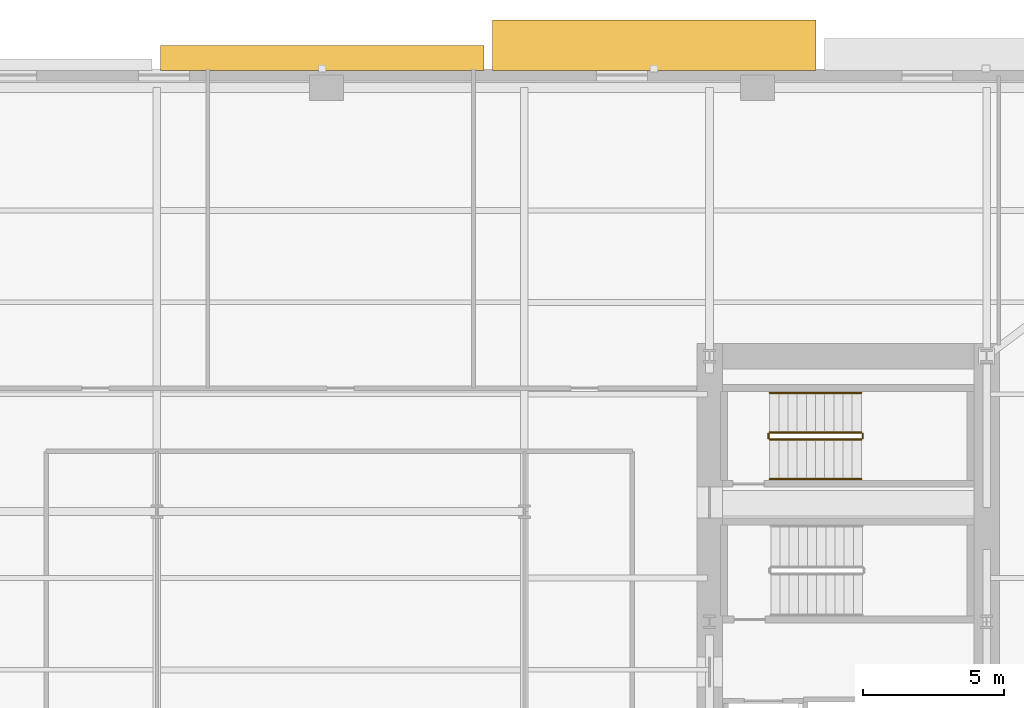
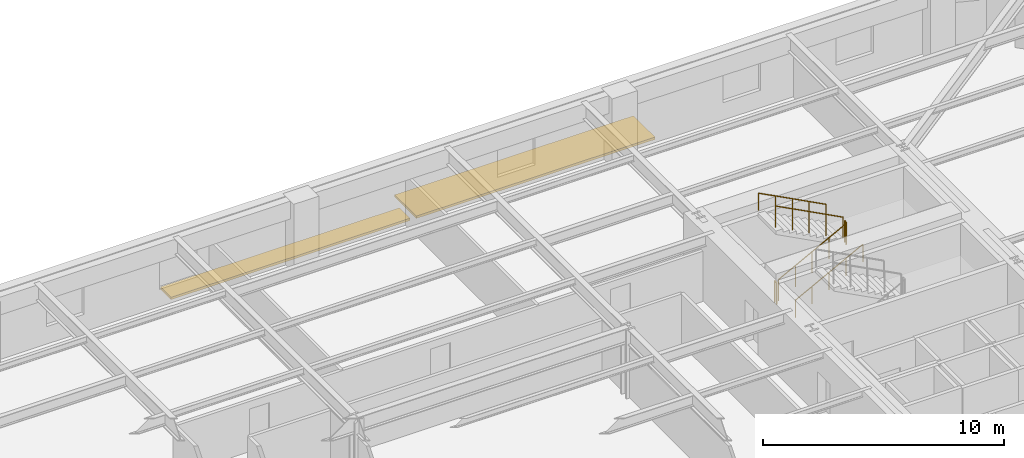
# One storey, part 14 of 15: 6 railings, 2 shading devices.
"""IFC4 building model written with IfcOpenShell, lengths in metres."""

from ifc_helpers import new_model, si_unit, direction, frame, origin, origin_2d, place, context, subcontext, project, spatial, rectangle, circle, extrude, material, type_object, element, save


model = new_model("IFC4")

# Units and contexts
model_context = context("Model", 3, precision=1e-05, world=origin(), true_north=direction((0.0, 1.0)))
body_context = subcontext(model_context, "Body", "Model", "MODEL_VIEW")
ifc_project = project(units=[si_unit("LENGTHUNIT", "METRE"), si_unit("AREAUNIT", "SQUARE_METRE"), si_unit("VOLUMEUNIT", "CUBIC_METRE"), si_unit("PLANEANGLEUNIT", "RADIAN"), si_unit("MASSUNIT", "GRAM", prefix="KILO")], contexts=[model_context])

# Site, building, storey
site_placement = place(None, origin())
site = spatial("IfcSite", under=ifc_project, at=site_placement, CompositionType="ELEMENT")
building_placement = place(site_placement, origin())
building = spatial("IfcBuilding", under=site, at=building_placement, Name="Kolvaren Arena Tower", CompositionType="ELEMENT")
storey_placement = place(building_placement, frame((0.0, 0.0, 64.5)))
storey = spatial("IfcBuildingStorey", under=building, at=storey_placement, Name="L13", CompositionType="ELEMENT", Elevation=64.5)

# Railings
ifc_material_1 = material(Name="Painted galvanized steel", Category="steel")
railing_type_1 = type_object("IfcRailingType", Name="GUARD-ST-110", PredefinedType="GUARDRAIL", material=ifc_material_1)
railing_1_placement = place(storey_placement, frame((52.679931640625, 36.39990234375, 0.17041015625)))
element("IfcRailing", 1, at=railing_1_placement, inside=storey, type_object=railing_type_1, Name="L13 ST-E2 stair guard 1", PredefinedType="GUARDRAIL", context=body_context, shape_type="SweptSolid", body=[
    extrude(circle(Radius=0.02392578125, at=origin_2d()), frame((0.0, 0.0, 1.076171875), z_axis=(0.884993431791, 0.0, 0.465603506952), x_axis=(0.0, 1.0, 0.0)), (0.0, 0.0, 1.0), 3.6611328125),
    extrude(circle(Radius=0.02099609375, at=origin_2d()), origin(), (0.0, 0.0, 1.0), 1.052001953125),
    extrude(circle(Radius=0.02099609375, at=origin_2d()), frame((0.81005859375, 0.0, 0.42626953125)), (0.0, 0.0, 1.0), 1.052001953125),
    extrude(circle(Radius=0.02099609375, at=origin_2d()), frame((1.6201171875, 0.0, 0.852294921875)), (0.0, 0.0, 1.0), 1.052001953125),
    extrude(circle(Radius=0.02099609375, at=origin_2d()), frame((2.429931640625, 0.0, 1.2783203125)), (0.0, 0.0, 1.0), 1.052001953125),
    extrude(circle(Radius=0.02099609375, at=origin_2d()), frame((3.239990234375, 0.0, 1.70458984375)), (0.0, 0.0, 1.0), 1.052001953125),
])
railing_2_placement = place(storey_placement, frame((55.969970703125, 36.449951171875, 1.875)))
element("IfcRailing", 2, at=railing_2_placement, inside=storey, type_object=railing_type_1, Name="L13 ST-E2 stair guard 2", PredefinedType="GUARDRAIL", context=body_context, shape_type="SweptSolid", body=[
    extrude(circle(Radius=0.02392578125, at=origin_2d()), frame((0.0, 0.0, 1.076171875), z_axis=(0.0, 1.0, 0.0), x_axis=(-1.0, 0.0, 0.0)), (0.0, 0.0, 1.0), 0.150146484375),
    extrude(circle(Radius=0.02099609375, at=origin_2d()), origin(), (0.0, 0.0, 1.0), 1.052001953125),
    extrude(circle(Radius=0.02099609375, at=origin_2d()), frame((0.0, 0.150146484375, 0.0)), (0.0, 0.0, 1.0), 1.052001953125),
])
railing_3_placement = place(storey_placement, frame((55.919921875, 36.64990234375, 2.04541015625)))
element("IfcRailing", 3, at=railing_3_placement, inside=storey, type_object=railing_type_1, Name="L13 ST-E2 stair guard 3", PredefinedType="GUARDRAIL", context=body_context, shape_type="SweptSolid", body=[
    extrude(circle(Radius=0.02392578125, at=origin_2d()), frame((0.0, 0.0, 1.076171875), z_axis=(-0.884993431791, 0.0, 0.465603506952), x_axis=(0.0, -1.0, 0.0)), (0.0, 0.0, 1.0), 3.6611328125),
    extrude(circle(Radius=0.02099609375, at=origin_2d()), origin(), (0.0, 0.0, 1.0), 1.052001953125),
    extrude(circle(Radius=0.02099609375, at=origin_2d()), frame((-0.81005859375, 0.0, 0.42626953125)), (0.0, 0.0, 1.0), 1.052001953125),
    extrude(circle(Radius=0.02099609375, at=origin_2d()), frame((-1.6201171875, 0.0, 0.852294921875)), (0.0, 0.0, 1.0), 1.052001953125),
    extrude(circle(Radius=0.02099609375, at=origin_2d()), frame((-2.429931640625, 0.0, 1.2783203125)), (0.0, 0.0, 1.0), 1.052001953125),
    extrude(circle(Radius=0.02099609375, at=origin_2d()), frame((-3.239990234375, 0.0, 1.70458984375)), (0.0, 0.0, 1.0), 1.052001953125),
])
railing_4_placement = place(storey_placement, frame((52.6298828125, 36.449951171875, 0.0)))
element("IfcRailing", 4, at=railing_4_placement, inside=storey, type_object=railing_type_1, Name="L13 ST-E2 stair guard 4", PredefinedType="GUARDRAIL", context=body_context, shape_type="SweptSolid", body=[
    extrude(circle(Radius=0.02392578125, at=origin_2d()), frame((0.0, 0.0, 1.076171875), z_axis=(0.0, 1.0, 0.0), x_axis=(-1.0, 0.0, 0.0)), (0.0, 0.0, 1.0), 0.150146484375),
    extrude(circle(Radius=0.02099609375, at=origin_2d()), origin(), (0.0, 0.0, 1.0), 1.052001953125),
    extrude(circle(Radius=0.02099609375, at=origin_2d()), frame((0.0, 0.150146484375, 0.0)), (0.0, 0.0, 1.0), 1.052001953125),
])
ifc_material_2 = material(Name="Brushed stainless steel handrail", Category="steel")
railing_type_2 = type_object("IfcRailingType", Name="HRAIL-900", PredefinedType="HANDRAIL", material=ifc_material_2)
railing_5_placement = place(storey_placement, frame((52.679931640625, 35.0, 0.17041015625)))
element("IfcRailing", 5, at=railing_5_placement, inside=storey, type_object=railing_type_2, Name="L13 ST-E2 stair handrail 1", PredefinedType="HANDRAIL", context=body_context, shape_type="SweptSolid", body=[
    extrude(circle(Radius=0.02392578125, at=origin_2d()), frame((0.0, 0.0, 0.8759765625), z_axis=(0.884993431791, 0.0, 0.465603506952), x_axis=(0.0, 1.0, 0.0)), (0.0, 0.0, 1.0), 3.6611328125),
    extrude(circle(Radius=0.02099609375, at=origin_2d()), origin(), (0.0, 0.0, 1.0), 0.851806640625),
    extrude(circle(Radius=0.02099609375, at=origin_2d()), frame((0.81005859375, 0.0, 0.42626953125)), (0.0, 0.0, 1.0), 0.851806640625),
    extrude(circle(Radius=0.02099609375, at=origin_2d()), frame((1.6201171875, 0.0, 0.852294921875)), (0.0, 0.0, 1.0), 0.851806640625),
    extrude(circle(Radius=0.02099609375, at=origin_2d()), frame((2.429931640625, 0.0, 1.2783203125)), (0.0, 0.0, 1.0), 0.851806640625),
    extrude(circle(Radius=0.02099609375, at=origin_2d()), frame((3.239990234375, 0.0, 1.70458984375)), (0.0, 0.0, 1.0), 0.851806640625),
])
railing_6_placement = place(storey_placement, frame((55.919921875, 38.050048828125, 2.04541015625)))
element("IfcRailing", 6, at=railing_6_placement, inside=storey, type_object=railing_type_2, Name="L13 ST-E2 stair handrail 2", PredefinedType="HANDRAIL", context=body_context, shape_type="SweptSolid", body=[
    extrude(circle(Radius=0.02392578125, at=origin_2d()), frame((0.0, 0.0, 0.8759765625), z_axis=(-0.884993431791, 0.0, 0.465603506952), x_axis=(0.0, -1.0, 0.0)), (0.0, 0.0, 1.0), 3.6611328125),
    extrude(circle(Radius=0.02099609375, at=origin_2d()), origin(), (0.0, 0.0, 1.0), 0.851806640625),
    extrude(circle(Radius=0.02099609375, at=origin_2d()), frame((-0.81005859375, 0.0, 0.42626953125)), (0.0, 0.0, 1.0), 0.851806640625),
    extrude(circle(Radius=0.02099609375, at=origin_2d()), frame((-1.6201171875, 0.0, 0.852294921875)), (0.0, 0.0, 1.0), 0.851806640625),
    extrude(circle(Radius=0.02099609375, at=origin_2d()), frame((-2.429931640625, 0.0, 1.2783203125)), (0.0, 0.0, 1.0), 0.851806640625),
    extrude(circle(Radius=0.02099609375, at=origin_2d()), frame((-3.239990234375, 0.0, 1.70458984375)), (0.0, 0.0, 1.0), 0.851806640625),
])

# Shading devices
ifc_material_3 = material(Name="Architectural precast GFRC and anodised aluminium sunshade", Category="concrete")
shading_device_type_1 = type_object("IfcShadingDeviceType", Name="SHAD-SINE-A", PredefinedType="USERDEFINED", material=ifc_material_3)
shading_device_1_placement = place(storey_placement, frame((36.85009765625, 49.88916015625, -0.14013671875), z_axis=(0.0, 0.0, 1.0), x_axis=(1.0, 0.0, 0.0)))
element("IfcShadingDevice", 7, at=shading_device_1_placement, inside=storey, type_object=shading_device_type_1, Name="Sinusoidal Slab-Edge Sunshade Louvre (L13)", ObjectType="LOUVRE", PredefinedType="USERDEFINED", context=body_context, shape_type="SweptSolid", body=[
    extrude(rectangle(XDim=11.43994140625, YDim=0.878173828125, at=origin_2d()), origin(), (0.0, 0.0, 1.0), 0.1201171875),
])
shading_device_type_2 = type_object("IfcShadingDeviceType", Name="SHAD-SINE-B", PredefinedType="JALOUSIE", material=ifc_material_3)
shading_device_2_placement = place(storey_placement, frame((48.590087890625, 50.344482421875, -0.14013671875), z_axis=(0.0, 0.0, 1.0), x_axis=(1.0, 0.0, 0.0)))
element("IfcShadingDevice", 8, at=shading_device_2_placement, inside=storey, type_object=shading_device_type_2, Name="Sinusoidal Slab-Edge Sunshade Louvre (L13)", PredefinedType="JALOUSIE", context=body_context, shape_type="SweptSolid", body=[
    extrude(rectangle(XDim=11.43994140625, YDim=1.789306640625, at=origin_2d()), origin(), (0.0, 0.0, 1.0), 0.1201171875),
])

save(model, "model.ifc")
